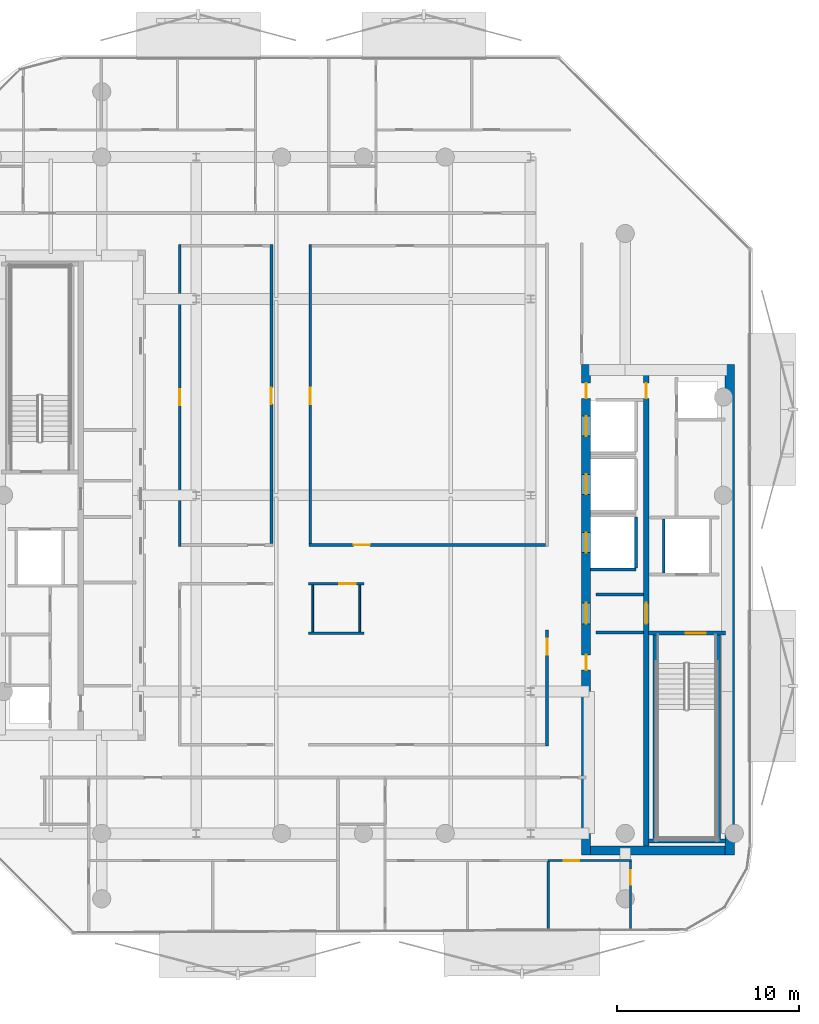
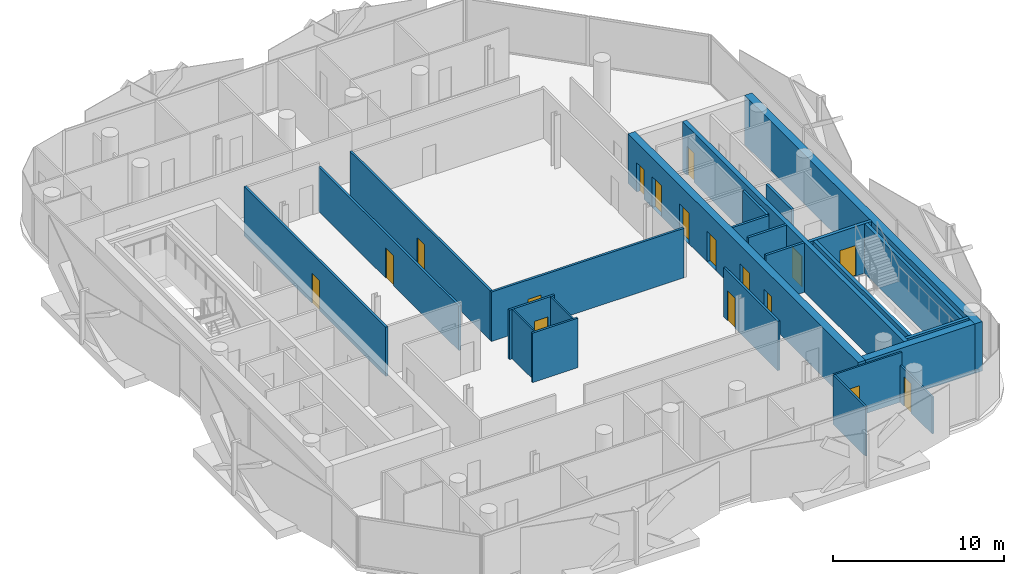
# One storey, part 6 of 16: 25 walls, 17 doors, 17 openings.
"""IFC4 building model written with IfcOpenShell, lengths in metres."""

from ifc_helpers import new_model, si_unit, direction, frame, frame_2d, origin, place, context, subcontext, project, spatial, rectangle, extrude, material, layer, layer_set, type_object, element, fill, save


model = new_model("IFC4")

# Units and contexts
model_context = context("Model", 3, precision=1e-05, world=origin(), true_north=direction((0.0, 1.0)))
body_context = subcontext(model_context, "Body", "Model", "MODEL_VIEW")
ifc_project = project(units=[si_unit("LENGTHUNIT", "METRE"), si_unit("AREAUNIT", "SQUARE_METRE"), si_unit("VOLUMEUNIT", "CUBIC_METRE"), si_unit("PLANEANGLEUNIT", "RADIAN"), si_unit("MASSUNIT", "GRAM", prefix="KILO")], contexts=[model_context])

# Site, building, storey
site_placement = place(None, origin())
site = spatial("IfcSite", under=ifc_project, at=site_placement, CompositionType="ELEMENT")
building_placement = place(site_placement, origin())
building = spatial("IfcBuilding", under=site, at=building_placement, Name="Khairoan Windgate Tower", CompositionType="ELEMENT")
storey_placement = place(building_placement, frame((0.0, 0.0, 281.39990234375)))
storey = spatial("IfcBuildingStorey", under=building, at=storey_placement, Name="L67", CompositionType="ELEMENT", Elevation=281.39990234375)

# Walls
ifc_material_1 = material(Name="Moisture-Resistant Gypsum Partition", Category="gypsum")
ifc_layer_1 = layer(ifc_material_1, 0.10009765625, Name="Moisture-Resistant Gypsum Partition")
ifc_layer_set_1 = layer_set([ifc_layer_1], Name="Moisture-Resistant Gypsum Partition")
wall_type_1 = type_object("IfcWallType", Name="Bathroom Wet-Area Partition Wall", PredefinedType="PARTITIONING", material=ifc_layer_set_1)
for number, where, z_axis, x_axis, name in (
    (1, (-0.199951171875, -4.93994140625, 0.0), (0.0, 0.0, 1.0), (0.0, -1.0, 0.0), "L67 Wet Room Side Wall 078"),
    (2, (-2.7900390625, -7.510009765625, 0.0), (0.0, 0.0, 1.0), (0.0, 1.0, 0.0), "L67 Wet Room Side Wall 079"),
):
    element("IfcWall", number, at=place(storey_placement, frame(where, z_axis=z_axis, x_axis=x_axis)), inside=storey, type_object=wall_type_1, Name=name, PredefinedType="PARTITIONING", context=body_context, shape_type="SweptSolid", body=[
        extrude(rectangle(XDim=2.570068359375, YDim=0.10009765625, at=frame_2d((1.28515625, 0.0))), origin(), (0.0, 0.0, 1.0), 3.5400390625),
    ])
ifc_material_2 = material(Name="Concrete C40/50", Category="concrete")
ifc_layer_2 = layer(ifc_material_2, 0.159912109375, Name="Concrete C40/50")
ifc_layer_set_2 = layer_set([ifc_layer_2], Name="Concrete C40/50")
wall_type_2 = type_object("IfcWallType", Name="Core and Hoistway Enclosure Wall", PredefinedType="STANDARD", material=ifc_layer_set_2)
wall_1_placement = place(storey_placement, frame((12.5, -4.090087890625, 0.0), z_axis=(0.0, 0.0, 1.0), x_axis=(1.0, 0.0, 0.0)))
element("IfcWall", 3, at=wall_1_placement, inside=storey, type_object=wall_type_2, Name="L67 Lift PL9 Hoistway Divider S", PredefinedType="STANDARD", context=body_context, shape_type="SweptSolid", body=[
    extrude(rectangle(XDim=2.489990234375, YDim=0.159912109375, at=frame_2d((1.2451171875, 0.0))), origin(), (0.0, 0.0, 1.0), 3.5400390625),
])
wall_2_placement = place(storey_placement, frame((14.989990234375, -4.0, 0.0), z_axis=(0.0, 0.0, 1.0), x_axis=(0.0, 1.0, 0.0)))
element("IfcWall", 4, at=wall_2_placement, inside=storey, type_object=wall_type_2, Name="L67 Lift PL9 Hoistway Back Wall", PredefinedType="STANDARD", context=body_context, shape_type="SweptSolid", body=[
    extrude(rectangle(XDim=2.800048828125, YDim=0.159912109375, at=frame_2d((1.39990234375, 0.0))), origin(), (0.0, 0.0, 1.0), 3.5400390625),
])
wall_3_placement = place(storey_placement, frame((16.52001953125, -4.280029296875, 0.0), z_axis=(0.0, 0.0, 1.0), x_axis=(0.0, 1.0, 0.0)))
element("IfcWall", 5, at=wall_3_placement, inside=storey, type_object=wall_type_2, Name="L67 Core Shaft Wall SW-FL1W-L67", PredefinedType="STANDARD", context=body_context, shape_type="SweptSolid", body=[
    extrude(rectangle(XDim=2.97998046875, YDim=0.159912109375, at=frame_2d((1.489990234375, 0.0))), origin(), (0.0, 0.0, 1.0), 3.5400390625),
])
for number, where, z_axis, x_axis, name in (
    (6, (12.800048828125, -5.449951171875, 0.0), (0.0, 0.0, 1.0), (1.0, 0.0, 0.0), "L67 Core Shaft Wall SW-EV1-L67"),
    (7, (12.800048828125, -7.5400390625, 0.0), (0.0, 0.0, 1.0), (1.0, 0.0, 0.0), "L67 Core Shaft Wall SW-EV2-L67"),
):
    element("IfcWall", number, at=place(storey_placement, frame(where, z_axis=z_axis, x_axis=x_axis)), inside=storey, type_object=wall_type_2, Name=name, PredefinedType="STANDARD", context=body_context, shape_type="SweptSolid", body=[
        extrude(rectangle(XDim=2.599853515625, YDim=0.159912109375, at=frame_2d((1.2998046875, 0.0))), origin(), (0.0, 0.0, 1.0), 3.5400390625),
    ])
ifc_material_3 = material(Name="Acoustic Fire-Rated Gypsum Partition", Category="gypsum")
ifc_layer_3 = layer(ifc_material_3, 0.139892578125, Name="Acoustic Fire-Rated Gypsum Partition")
ifc_layer_set_3 = layer_set([ifc_layer_3], Name="Acoustic Fire-Rated Gypsum Partition")
wall_type_3 = type_object("IfcWallType", Name="Inter-Tenancy Compartment Wall", PredefinedType="PARTITIONING", material=ifc_layer_set_3)
wall_4_placement = place(storey_placement, frame((-3.030029296875, -7.580078125, 0.0), z_axis=(0.0, 0.0, 1.0), x_axis=(1.0, 0.0, 0.0)))
element("IfcWall", 8, at=wall_4_placement, inside=storey, type_object=wall_type_3, Name="L67 Interior Partition 075", PredefinedType="PARTITIONING", context=body_context, shape_type="SweptSolid", body=[
    extrude(rectangle(XDim=3.070068359375, YDim=0.139892578125, at=frame_2d((1.53515625, 0.0))), origin(), (0.0, 0.0, 1.0), 3.5400390625),
])

# Wall, opening, door
ifc_material_4 = material(Name="Gypsum Stud Partition", Category="gypsum")
ifc_layer_4 = layer(ifc_material_4, 0.1201171875, Name="Gypsum Stud Partition")
ifc_layer_set_4 = layer_set([ifc_layer_4], Name="Gypsum Stud Partition")
wall_type_4 = type_object("IfcWallType", Name="Internal Room Partition Wall", PredefinedType="PARTITIONING", material=ifc_layer_set_4)
wall_5_placement = place(storey_placement, frame((10.1630859375, -20.10009765625, 0.0), z_axis=(0.0, 0.0, 1.0), x_axis=(1.0, 0.0, 0.0)))
wall_5 = element("IfcWall", 9, at=wall_5_placement, inside=storey, type_object=wall_type_4, Name="L67 Interior Partition 071", PredefinedType="PARTITIONING", context=body_context, shape_type="SweptSolid", body=[
    extrude(rectangle(XDim=4.5869140625, YDim=0.1201171875, at=frame_2d((2.29345703125, 0.0))), origin(), (0.0, 0.0, 1.0), 3.5400390625),
])
opening_1_placement = place(wall_5_placement, frame((0.861083984375, 0.0, 0.0)))
opening_1 = element("IfcOpeningElement", 10, at=opening_1_placement, cuts=wall_5, Name="Opening ID-RM", PredefinedType="OPENING", context=body_context, shape_type="SweptSolid", body=[
    extrude(rectangle(XDim=0.860107421875, YDim=2.14990234375, at=frame_2d((0.43017578125, 1.074951171875))), frame((0.0, 0.070068359375, 0.0), z_axis=(0.0, -1.0, 0.0), x_axis=(1.0, 0.0, 0.0)), (0.0, 0.0, 1.0), 0.14013671875),
])
ifc_material_5 = material(Name="Teak Veneer Timber Leaf", Category="wood")
door_type_1 = type_object("IfcDoorType", Name="Internal Bedroom and Office Door ID-RM 860x2150", OperationType="NOTDEFINED", PredefinedType="DOOR", material=ifc_material_5)
door_1_placement = place(opening_1_placement, origin())
door_1 = element("IfcDoor", 11, at=door_1_placement, inside=storey, type_object=door_type_1, Name="L67 L67-51-L67-55 Door", OperationType="SINGLE_SWING_RIGHT", OverallHeight=2.14990234375, OverallWidth=0.860107421875, PredefinedType="DOOR", context=body_context, shape_type="SweptSolid", body=[
    extrude(rectangle(XDim=0.860107421875, YDim=2.14990234375, at=frame_2d((0.43017578125, 1.074951171875))), frame((0.0, 0.02490234375, 0.0), z_axis=(0.0, -1.0, 0.0), x_axis=(1.0, 0.0, 0.0)), (0.0, 0.0, 1.0), 0.050048828125),
])
fill(opening_1, door_1)

wall_6_placement = place(storey_placement, frame((14.68994140625, -23.906494140625, 0.0), z_axis=(0.0, 0.0, 1.0), x_axis=(0.0, 1.0, 0.0)))
wall_6 = element("IfcWall", 12, at=wall_6_placement, inside=storey, type_object=wall_type_4, Name="L67 Interior Partition 072", PredefinedType="PARTITIONING", context=body_context, shape_type="SweptSolid", body=[
    extrude(rectangle(XDim=3.74658203125, YDim=0.1201171875, at=frame_2d((1.873291015625, 0.0))), origin(), (0.0, 0.0, 1.0), 2.64013671875),
])
opening_2_placement = place(wall_6_placement, frame((2.486328125, 0.0, 0.0)))
opening_2 = element("IfcOpeningElement", 13, at=opening_2_placement, cuts=wall_6, Name="Opening ID-BTH", PredefinedType="OPENING", context=body_context, shape_type="SweptSolid", body=[
    extrude(rectangle(XDim=0.800048828125, YDim=2.10009765625, at=frame_2d((0.39990234375, 1.050048828125))), frame((0.0, 0.070068359375, 0.0), z_axis=(0.0, -1.0, 0.0), x_axis=(1.0, 0.0, 0.0)), (0.0, 0.0, 1.0), 0.14013671875),
])
ifc_material_6 = material(Name="Teak Veneer Timber Leaf", Category="wood")
door_type_2 = type_object("IfcDoorType", Name="Internal Bathroom Door ID-BTH 800x2100", OperationType="NOTDEFINED", PredefinedType="DOOR", material=ifc_material_6)
door_2_placement = place(opening_2_placement, origin())
door_2 = element("IfcDoor", 14, at=door_2_placement, inside=storey, type_object=door_type_2, Name="L67 L67-52-L67-55 Door", OperationType="SINGLE_SWING_RIGHT", OverallHeight=2.10009765625, OverallWidth=0.800048828125, PredefinedType="DOOR", context=body_context, shape_type="SweptSolid", body=[
    extrude(rectangle(XDim=0.800048828125, YDim=2.10009765625, at=frame_2d((0.39990234375, 1.050048828125))), frame((0.0, 0.02490234375, 0.0), z_axis=(0.0, -1.0, 0.0), x_axis=(1.0, 0.0, 0.0)), (0.0, 0.0, 1.0), 0.050048828125),
])
fill(opening_2, door_2)

# Wall
wall_7_placement = place(storey_placement, frame((10.1630859375, -23.92822265625, 0.0), z_axis=(0.0, 0.0, 1.0), x_axis=(0.0, 1.0, 0.0)))
element("IfcWall", 15, at=wall_7_placement, inside=storey, type_object=wall_type_4, Name="L67 Interior Partition 074", PredefinedType="PARTITIONING", context=body_context, shape_type="SweptSolid", body=[
    extrude(rectangle(XDim=3.768310546875, YDim=0.1201171875, at=frame_2d((1.88427734375, 0.0))), origin(), (0.0, 0.0, 1.0), 3.5400390625),
])

# Wall, opening, door
ifc_material_7 = material(Name="Acoustic Fire-Rated Gypsum Partition", Category="gypsum")
ifc_layer_5 = layer(ifc_material_7, 0.14990234375, Name="Acoustic Fire-Rated Gypsum Partition")
ifc_layer_set_5 = layer_set([ifc_layer_5], Name="Acoustic Fire-Rated Gypsum Partition")
wall_type_5 = type_object("IfcWallType", Name="Rated Corridor Partition Wall", PredefinedType="PARTITIONING", material=ifc_layer_set_5)
wall_8_placement = place(storey_placement, frame((-10.10009765625, -2.81005859375, 0.0), z_axis=(0.0, 0.0, 1.0), x_axis=(0.0, 1.0, 0.0)))
wall_8 = element("IfcWall", 16, at=wall_8_placement, inside=storey, type_object=wall_type_5, Name="L67 Interior Partition 011", PredefinedType="PARTITIONING", context=body_context, shape_type="SweptSolid", body=[
    extrude(rectangle(XDim=16.60498046875, YDim=0.14990234375, at=frame_2d((8.302490234375, 0.0))), origin(), (0.0, 0.0, 1.0), 3.5400390625),
])
opening_3_placement = place(wall_8_placement, frame((7.751220703125, 0.0, 0.0)))
opening_3 = element("IfcOpeningElement", 17, at=opening_3_placement, cuts=wall_8, Name="Opening FD-ENT", PredefinedType="OPENING", context=body_context, shape_type="SweptSolid", body=[
    extrude(rectangle(XDim=0.89990234375, YDim=2.14990234375, at=frame_2d((0.449951171875, 1.074951171875))), frame((0.0, 0.0849609375, 0.0), z_axis=(0.0, -1.0, 0.0), x_axis=(1.0, 0.0, 0.0)), (0.0, 0.0, 1.0), 0.169921875),
])
ifc_material_8 = material(Name="Timber Fire-Rated Core", Category="wood")
door_type_3 = type_object("IfcDoorType", Name="Unit and Office Fire Entrance Door FD-ENT 900x2150", OperationType="NOTDEFINED", PredefinedType="DOOR", material=ifc_material_8)
door_3_placement = place(opening_3_placement, origin())
door_3 = element("IfcDoor", 18, at=door_3_placement, inside=storey, type_object=door_type_3, Name="L67 L67-26-L67-57 Door", OperationType="SINGLE_SWING_LEFT", OverallHeight=2.14990234375, OverallWidth=0.89990234375, PredefinedType="DOOR", context=body_context, shape_type="SweptSolid", body=[
    extrude(rectangle(XDim=0.89990234375, YDim=2.14990234375, at=frame_2d((0.449951171875, 1.074951171875))), frame((0.0, 0.02490234375, 0.0), z_axis=(0.0, -1.0, 0.0), x_axis=(1.0, 0.0, 0.0)), (0.0, 0.0, 1.0), 0.050048828125),
])
fill(opening_3, door_3)

wall_9_placement = place(storey_placement, frame((10.10009765625, -13.794921875, 0.0), z_axis=(0.0, 0.0, 1.0), x_axis=(0.0, 1.0, 0.0)))
wall_9 = element("IfcWall", 19, at=wall_9_placement, inside=storey, type_object=wall_type_5, Name="L67 Interior Partition 015", PredefinedType="PARTITIONING", context=body_context, shape_type="SweptSolid", body=[
    extrude(rectangle(XDim=6.375, YDim=0.14990234375, at=frame_2d((3.1875, 0.0))), origin(), (0.0, 0.0, 1.0), 3.5400390625),
])
opening_4_placement = place(wall_9_placement, frame((5.014892578125, 0.0, 0.0)))
opening_4 = element("IfcOpeningElement", 20, at=opening_4_placement, cuts=wall_9, Name="Opening FD-ENT", PredefinedType="OPENING", context=body_context, shape_type="SweptSolid", body=[
    extrude(rectangle(XDim=0.89990234375, YDim=2.14990234375, at=frame_2d((0.449951171875, 1.074951171875))), frame((0.0, 0.0849609375, 0.0), z_axis=(0.0, -1.0, 0.0), x_axis=(1.0, 0.0, 0.0)), (0.0, 0.0, 1.0), 0.169921875),
])
door_4_placement = place(opening_4_placement, origin())
door_4 = element("IfcDoor", 21, at=door_4_placement, inside=storey, type_object=door_type_3, Name="L67 L67-27-L67-61 Door", OperationType="SINGLE_SWING_LEFT", OverallHeight=2.14990234375, OverallWidth=0.89990234375, PredefinedType="DOOR", context=body_context, shape_type="SweptSolid", body=[
    extrude(rectangle(XDim=0.89990234375, YDim=2.14990234375, at=frame_2d((0.449951171875, 1.074951171875))), frame((0.0, 0.02490234375, 0.0), z_axis=(0.0, -1.0, 0.0), x_axis=(1.0, 0.0, 0.0)), (0.0, 0.0, 1.0), 0.050048828125),
])
fill(opening_4, door_4)

wall_10_placement = place(storey_placement, frame((-3.010009765625, -2.735107421875, 0.0), z_axis=(0.0, 0.0, 1.0), x_axis=(1.0, 0.0, 0.0)))
wall_10 = element("IfcWall", 22, at=wall_10_placement, inside=storey, type_object=wall_type_5, Name="L67 Interior Partition 018", PredefinedType="PARTITIONING", context=body_context, shape_type="SweptSolid", body=[
    extrude(rectangle(XDim=13.034912109375, YDim=0.14990234375, at=frame_2d((6.517578125, 0.0))), origin(), (0.0, 0.0, 1.0), 3.5400390625),
])
opening_5_placement = place(wall_10_placement, frame((2.462646484375, 0.0, 0.0)))
opening_5 = element("IfcOpeningElement", 23, at=opening_5_placement, cuts=wall_10, Name="Opening FD-ENT", PredefinedType="OPENING", context=body_context, shape_type="SweptSolid", body=[
    extrude(rectangle(XDim=0.89990234375, YDim=2.14990234375, at=frame_2d((0.449951171875, 1.074951171875))), frame((0.0, 0.0849609375, 0.0), z_axis=(0.0, -1.0, 0.0), x_axis=(1.0, 0.0, 0.0)), (0.0, 0.0, 1.0), 0.169921875),
])
door_5_placement = place(opening_5_placement, origin())
door_5 = element("IfcDoor", 24, at=door_5_placement, inside=storey, type_object=door_type_3, Name="L67 L67-28-L67-59 Door", OperationType="SINGLE_SWING_RIGHT", OverallHeight=2.14990234375, OverallWidth=0.89990234375, PredefinedType="DOOR", context=body_context, shape_type="SweptSolid", body=[
    extrude(rectangle(XDim=0.89990234375, YDim=2.14990234375, at=frame_2d((0.449951171875, 1.074951171875))), frame((0.0, 0.02490234375, 0.0), z_axis=(0.0, -1.0, 0.0), x_axis=(1.0, 0.0, 0.0)), (0.0, 0.0, 1.0), 0.050048828125),
])
fill(opening_5, door_5)

wall_11_placement = place(storey_placement, frame((-3.030029296875, -4.864990234375, 0.0), z_axis=(0.0, 0.0, 1.0), x_axis=(1.0, 0.0, 0.0)))
wall_11 = element("IfcWall", 25, at=wall_11_placement, inside=storey, type_object=wall_type_5, Name="L67 Interior Partition 019", PredefinedType="PARTITIONING", context=body_context, shape_type="SweptSolid", body=[
    extrude(rectangle(XDim=3.070068359375, YDim=0.14990234375, at=frame_2d((1.53515625, 0.0))), origin(), (0.0, 0.0, 1.0), 3.5400390625),
])
opening_6_placement = place(wall_11_placement, frame((1.7099609375, 0.0, 0.0)))
opening_6 = element("IfcOpeningElement", 26, at=opening_6_placement, cuts=wall_11, Name="Opening FD-ENT", PredefinedType="OPENING", context=body_context, shape_type="SweptSolid", body=[
    extrude(rectangle(XDim=0.89990234375, YDim=2.14990234375, at=frame_2d((0.449951171875, 1.074951171875))), frame((0.0, 0.0849609375, 0.0), z_axis=(0.0, -1.0, 0.0), x_axis=(1.0, 0.0, 0.0)), (0.0, 0.0, 1.0), 0.169921875),
])
door_6_placement = place(opening_6_placement, origin())
door_6 = element("IfcDoor", 27, at=door_6_placement, inside=storey, type_object=door_type_3, Name="L67 L67-28-L67-60 Door", OperationType="SINGLE_SWING_LEFT", OverallHeight=2.14990234375, OverallWidth=0.89990234375, PredefinedType="DOOR", context=body_context, shape_type="SweptSolid", body=[
    extrude(rectangle(XDim=0.89990234375, YDim=2.14990234375, at=frame_2d((0.449951171875, 1.074951171875))), frame((0.0, 0.02490234375, 0.0), z_axis=(0.0, -1.0, 0.0), x_axis=(1.0, 0.0, 0.0)), (0.0, 0.0, 1.0), 0.050048828125),
])
fill(opening_6, door_6)

wall_12_placement = place(storey_placement, frame((-5.06494140625, -2.659912109375, 0.0), z_axis=(0.0, 0.0, 1.0), x_axis=(0.0, 1.0, 0.0)))
wall_12 = element("IfcWall", 28, at=wall_12_placement, inside=storey, type_object=wall_type_5, Name="L67 Interior Partition 020", PredefinedType="PARTITIONING", context=body_context, shape_type="SweptSolid", body=[
    extrude(rectangle(XDim=16.454833984375, YDim=0.14990234375, at=frame_2d((8.2275390625, 0.0))), origin(), (0.0, 0.0, 1.0), 3.190185546875),
])
opening_7_placement = place(wall_12_placement, frame((7.67724609375, 0.0, 0.0)))
opening_7 = element("IfcOpeningElement", 29, at=opening_7_placement, cuts=wall_12, Name="Opening FD-ENT", PredefinedType="OPENING", context=body_context, shape_type="SweptSolid", body=[
    extrude(rectangle(XDim=0.89990234375, YDim=2.14990234375, at=frame_2d((0.449951171875, 1.074951171875))), frame((0.0, 0.0849609375, 0.0), z_axis=(0.0, -1.0, 0.0), x_axis=(1.0, 0.0, 0.0)), (0.0, 0.0, 1.0), 0.169921875),
])
door_7_placement = place(opening_7_placement, origin())
door_7 = element("IfcDoor", 30, at=door_7_placement, inside=storey, type_object=door_type_3, Name="L67 L67-29-L67-57 Door", OperationType="SINGLE_SWING_RIGHT", OverallHeight=2.14990234375, OverallWidth=0.89990234375, PredefinedType="DOOR", context=body_context, shape_type="SweptSolid", body=[
    extrude(rectangle(XDim=0.89990234375, YDim=2.14990234375, at=frame_2d((0.449951171875, 1.074951171875))), frame((0.0, 0.02490234375, 0.0), z_axis=(0.0, -1.0, 0.0), x_axis=(1.0, 0.0, 0.0)), (0.0, 0.0, 1.0), 0.050048828125),
])
fill(opening_7, door_7)

wall_13_placement = place(storey_placement, frame((-2.93505859375, -2.659912109375, 0.0), z_axis=(0.0, 0.0, 1.0), x_axis=(0.0, 1.0, 0.0)))
wall_13 = element("IfcWall", 31, at=wall_13_placement, inside=storey, type_object=wall_type_5, Name="L67 Interior Partition 021", PredefinedType="PARTITIONING", context=body_context, shape_type="SweptSolid", body=[
    extrude(rectangle(XDim=16.454833984375, YDim=0.14990234375, at=frame_2d((8.2275390625, 0.0))), origin(), (0.0, 0.0, 1.0), 3.5400390625),
])
opening_8_placement = place(wall_13_placement, frame((7.67724609375, 0.0, 0.0)))
opening_8 = element("IfcOpeningElement", 32, at=opening_8_placement, cuts=wall_13, Name="Opening FD-ENT", PredefinedType="OPENING", context=body_context, shape_type="SweptSolid", body=[
    extrude(rectangle(XDim=0.89990234375, YDim=2.14990234375, at=frame_2d((0.449951171875, 1.074951171875))), frame((0.0, 0.0849609375, 0.0), z_axis=(0.0, -1.0, 0.0), x_axis=(1.0, 0.0, 0.0)), (0.0, 0.0, 1.0), 0.169921875),
])
door_8_placement = place(opening_8_placement, origin())
door_8 = element("IfcDoor", 33, at=door_8_placement, inside=storey, type_object=door_type_3, Name="L67 L67-29-L67-59 Door", OperationType="SINGLE_SWING_LEFT", OverallHeight=2.14990234375, OverallWidth=0.89990234375, PredefinedType="DOOR", context=body_context, shape_type="SweptSolid", body=[
    extrude(rectangle(XDim=0.89990234375, YDim=2.14990234375, at=frame_2d((0.449951171875, 1.074951171875))), frame((0.0, 0.02490234375, 0.0), z_axis=(0.0, -1.0, 0.0), x_axis=(1.0, 0.0, 0.0)), (0.0, 0.0, 1.0), 0.050048828125),
])
fill(opening_8, door_8)

# Wall, openings, doors
ifc_material_9 = material(Name="Concrete C50/60", Category="concrete")
ifc_layer_6 = layer(ifc_material_9, 0.5, Name="Concrete C50/60")
ifc_layer_set_6 = layer_set([ifc_layer_6], Name="Concrete C50/60")
wall_type_6 = type_object("IfcWallType", Name="Shear Wall CW-E3 500mm", PredefinedType="SHEAR", material=ifc_layer_set_6)
wall_14_placement = place(storey_placement, frame((12.25, -19.800048828125, 0.0), z_axis=(0.0, 0.0, 1.0), x_axis=(0.0, 1.0, 0.0)))
wall_14 = element("IfcWall", 34, at=wall_14_placement, inside=storey, type_object=wall_type_6, Name="E Core West Shear Wall L67", PredefinedType="SHEAR", context=body_context, shape_type="SweptSolid", body=[
    extrude(rectangle(XDim=27.0, YDim=0.5, at=frame_2d((13.5, 0.0))), origin(), (0.0, 0.0, 1.0), 3.5400390625),
])
opening_9_placement = place(wall_14_placement, frame((23.050048828125, 0.0, 0.0)))
opening_9 = element("IfcOpeningElement", 35, at=opening_9_placement, cuts=wall_14, Name="Opening LD-PL", PredefinedType="OPENING", context=body_context, shape_type="SweptSolid", body=[
    extrude(rectangle(XDim=1.10009765625, YDim=2.199951171875, at=frame_2d((0.550048828125, 1.10009765625))), frame((0.0, 0.260009765625, 0.0), z_axis=(0.0, -1.0, 0.0), x_axis=(1.0, 0.0, 0.0)), (0.0, 0.0, 1.0), 0.52001953125),
])
opening_10_placement = place(wall_14_placement, frame((19.85009765625, 0.0, 0.0)))
opening_10 = element("IfcOpeningElement", 36, at=opening_10_placement, cuts=wall_14, Name="Opening LD-PL", PredefinedType="OPENING", context=body_context, shape_type="SweptSolid", body=[
    extrude(rectangle(XDim=1.10009765625, YDim=2.199951171875, at=frame_2d((0.550048828125, 1.10009765625))), frame((0.0, 0.260009765625, 0.0), z_axis=(0.0, -1.0, 0.0), x_axis=(1.0, 0.0, 0.0)), (0.0, 0.0, 1.0), 0.52001953125),
])
opening_11_placement = place(wall_14_placement, frame((16.64990234375, 0.0, 0.0)))
opening_11 = element("IfcOpeningElement", 37, at=opening_11_placement, cuts=wall_14, Name="Opening LD-PL", PredefinedType="OPENING", context=body_context, shape_type="SweptSolid", body=[
    extrude(rectangle(XDim=1.10009765625, YDim=2.199951171875, at=frame_2d((0.550048828125, 1.10009765625))), frame((0.0, 0.260009765625, 0.0), z_axis=(0.0, -1.0, 0.0), x_axis=(1.0, 0.0, 0.0)), (0.0, 0.0, 1.0), 0.52001953125),
])
opening_12_placement = place(wall_14_placement, frame((10.175048828125, 0.0, 0.0)))
opening_12 = element("IfcOpeningElement", 38, at=opening_12_placement, cuts=wall_14, Name="Opening FD-SRV", PredefinedType="OPENING", context=body_context, shape_type="SweptSolid", body=[
    extrude(rectangle(XDim=0.85009765625, YDim=2.10009765625, at=frame_2d((0.425048828125, 1.050048828125))), frame((0.0, 0.260009765625, 0.0), z_axis=(0.0, -1.0, 0.0), x_axis=(1.0, 0.0, 0.0)), (0.0, 0.0, 1.0), 0.52001953125),
])
opening_13_placement = place(wall_14_placement, frame((12.72509765625, 0.0, 0.0)))
opening_13 = element("IfcOpeningElement", 39, at=opening_13_placement, cuts=wall_14, Name="Opening FD-FFL", PredefinedType="OPENING", context=body_context, shape_type="SweptSolid", body=[
    extrude(rectangle(XDim=1.14990234375, YDim=2.199951171875, at=frame_2d((0.574951171875, 1.10009765625))), frame((0.0, 0.260009765625, 0.0), z_axis=(0.0, -1.0, 0.0), x_axis=(1.0, 0.0, 0.0)), (0.0, 0.0, 1.0), 0.52001953125),
])
opening_14_placement = place(wall_14_placement, frame((25.125, 0.0, 0.0)))
opening_14 = element("IfcOpeningElement", 40, at=opening_14_placement, cuts=wall_14, Name="Opening FD-SRV", PredefinedType="OPENING", context=body_context, shape_type="SweptSolid", body=[
    extrude(rectangle(XDim=0.85009765625, YDim=2.10009765625, at=frame_2d((0.425048828125, 1.050048828125))), frame((0.0, 0.260009765625, 0.0), z_axis=(0.0, -1.0, 0.0), x_axis=(1.0, 0.0, 0.0)), (0.0, 0.0, 1.0), 0.52001953125),
])
ifc_material_10 = material(Name="Steel S355", Category="steel")
door_type_4 = type_object("IfcDoorType", Name="Core Service and Riser Fire Door FD-SRV 850x2100", OperationType="NOTDEFINED", PredefinedType="DOOR", material=ifc_material_10)
door_9_placement = place(opening_12_placement, origin())
door_9 = element("IfcDoor", 41, at=door_9_placement, inside=storey, type_object=door_type_4, Name="L67 East Core Service Room Door 1", OperationType="SINGLE_SWING_LEFT", OverallHeight=2.10009765625, OverallWidth=0.85009765625, PredefinedType="DOOR", context=body_context, shape_type="SweptSolid", body=[
    extrude(rectangle(XDim=0.85009765625, YDim=2.10009765625, at=frame_2d((0.425048828125, 1.050048828125))), frame((0.0, 0.02490234375, 0.0), z_axis=(0.0, -1.0, 0.0), x_axis=(1.0, 0.0, 0.0)), (0.0, 0.0, 1.0), 0.050048828125),
])
fill(opening_12, door_9)
door_10_placement = place(opening_14_placement, origin())
door_10 = element("IfcDoor", 42, at=door_10_placement, inside=storey, type_object=door_type_4, Name="L67 East Core Service Vestibule Outer Door", OperationType="SINGLE_SWING_RIGHT", OverallHeight=2.10009765625, OverallWidth=0.85009765625, PredefinedType="DOOR", context=body_context, shape_type="SweptSolid", body=[
    extrude(rectangle(XDim=0.85009765625, YDim=2.10009765625, at=frame_2d((0.425048828125, 1.050048828125))), frame((0.0, 0.02490234375, 0.0), z_axis=(0.0, -1.0, 0.0), x_axis=(1.0, 0.0, 0.0)), (0.0, 0.0, 1.0), 0.050048828125),
])
fill(opening_14, door_10)
ifc_material_11 = material(Name="Steel S355", Category="steel")
door_type_5 = type_object("IfcDoorType", Name="Firefighting Lobby Fire Door FD-FFL 1150x2200", OperationType="NOTDEFINED", PredefinedType="DOOR", material=ifc_material_11)
door_11_placement = place(opening_13_placement, origin())
door_11 = element("IfcDoor", 43, at=door_11_placement, inside=storey, type_object=door_type_5, Name="L67 East Core Vestibule Entry Door", OperationType="SINGLE_SWING_RIGHT", OverallHeight=2.199951171875, OverallWidth=1.14990234375, PredefinedType="DOOR", context=body_context, shape_type="SweptSolid", body=[
    extrude(rectangle(XDim=1.14990234375, YDim=2.199951171875, at=frame_2d((0.574951171875, 1.10009765625))), frame((0.0, 0.02490234375, 0.0), z_axis=(0.0, -1.0, 0.0), x_axis=(1.0, 0.0, 0.0)), (0.0, 0.0, 1.0), 0.050048828125),
])
fill(opening_13, door_11)
ifc_material_12 = material(Name="Anodised Bronze Aluminium 6063-T6", Category="aluminium")
door_type_6 = type_object("IfcDoorType", Name="Passenger Lift Sliding Landing Door LD-PL 1100x2200", OperationType="DOUBLE_DOOR_SLIDING", PredefinedType="DOOR", material=ifc_material_12)
door_12_placement = place(opening_9_placement, origin())
door_12 = element("IfcDoor", 44, at=door_12_placement, inside=storey, type_object=door_type_6, Name="L67 Lift PL7 Sliding Landing Door", OperationType="DOUBLE_DOOR_SLIDING", OverallHeight=2.199951171875, OverallWidth=1.10009765625, PredefinedType="DOOR", context=body_context, shape_type="SweptSolid", body=[
    extrude(rectangle(XDim=1.10009765625, YDim=2.199951171875, at=frame_2d((0.550048828125, 1.10009765625))), frame((0.0, 0.02490234375, 0.0), z_axis=(0.0, -1.0, 0.0), x_axis=(1.0, 0.0, 0.0)), (0.0, 0.0, 1.0), 0.050048828125),
])
fill(opening_9, door_12)
door_13_placement = place(opening_10_placement, origin())
door_13 = element("IfcDoor", 45, at=door_13_placement, inside=storey, type_object=door_type_6, Name="L67 Lift PL8 Sliding Landing Door", OperationType="DOUBLE_DOOR_SLIDING", OverallHeight=2.199951171875, OverallWidth=1.10009765625, PredefinedType="DOOR", context=body_context, shape_type="SweptSolid", body=[
    extrude(rectangle(XDim=1.10009765625, YDim=2.199951171875, at=frame_2d((0.550048828125, 1.10009765625))), frame((0.0, 0.02490234375, 0.0), z_axis=(0.0, -1.0, 0.0), x_axis=(1.0, 0.0, 0.0)), (0.0, 0.0, 1.0), 0.050048828125),
])
fill(opening_10, door_13)
door_14_placement = place(opening_11_placement, origin())
door_14 = element("IfcDoor", 46, at=door_14_placement, inside=storey, type_object=door_type_6, Name="L67 Lift PL9 Sliding Landing Door", OperationType="DOUBLE_DOOR_SLIDING", OverallHeight=2.199951171875, OverallWidth=1.10009765625, PredefinedType="DOOR", context=body_context, shape_type="SweptSolid", body=[
    extrude(rectangle(XDim=1.10009765625, YDim=2.199951171875, at=frame_2d((0.550048828125, 1.10009765625))), frame((0.0, 0.02490234375, 0.0), z_axis=(0.0, -1.0, 0.0), x_axis=(1.0, 0.0, 0.0)), (0.0, 0.0, 1.0), 0.050048828125),
])
fill(opening_11, door_14)

# Walls
wall_15_placement = place(storey_placement, frame((20.14990234375, -19.800048828125, 0.0), z_axis=(0.0, 0.0, 1.0), x_axis=(0.0, 1.0, 0.0)))
element("IfcWall", 47, at=wall_15_placement, inside=storey, type_object=wall_type_6, Name="E Core East Shear Wall L67", PredefinedType="SHEAR", context=body_context, shape_type="SweptSolid", body=[
    extrude(rectangle(XDim=27.0, YDim=0.5, at=frame_2d((13.5, 0.0))), origin(), (0.0, 0.0, 1.0), 3.5400390625),
])
wall_16_placement = place(storey_placement, frame((12.5, -19.550048828125, 0.0), z_axis=(0.0, 0.0, 1.0), x_axis=(1.0, 0.0, 0.0)))
element("IfcWall", 48, at=wall_16_placement, inside=storey, type_object=wall_type_6, Name="E Core South Shear Wall L67", PredefinedType="SHEAR", context=body_context, shape_type="SweptSolid", body=[
    extrude(rectangle(XDim=7.39990234375, YDim=0.5, at=frame_2d((3.699951171875, 0.0))), origin(), (0.0, 0.0, 1.0), 3.5400390625),
])

# Wall, openings, doors
ifc_material_13 = material(Name="Concrete C50/60", Category="concrete")
ifc_layer_7 = layer(ifc_material_13, 0.300048828125, Name="Concrete C50/60")
ifc_layer_set_7 = layer_set([ifc_layer_7], Name="Concrete C50/60")
wall_type_7 = type_object("IfcWallType", Name="Shear Wall SW-2 300mm", PredefinedType="SHEAR", material=ifc_layer_set_7)
wall_17_placement = place(storey_placement, frame((15.550048828125, -19.300048828125, 0.0), z_axis=(0.0, 0.0, 1.0), x_axis=(0.0, 1.0, 0.0)))
wall_17 = element("IfcWall", 49, at=wall_17_placement, inside=storey, type_object=wall_type_7, Name="E Core Spine Shear Wall L67", PredefinedType="SHEAR", context=body_context, shape_type="SweptSolid", body=[
    extrude(rectangle(XDim=26.0, YDim=0.300048828125, at=frame_2d((13.0, 0.0))), origin(), (0.0, 0.0, 1.0), 3.5400390625),
])
opening_15_placement = place(wall_17_placement, frame((12.22509765625, 0.0, 0.0)))
opening_15 = element("IfcOpeningElement", 50, at=opening_15_placement, cuts=wall_17, Name="Opening FD-FFL", PredefinedType="OPENING", context=body_context, shape_type="SweptSolid", body=[
    extrude(rectangle(XDim=1.14990234375, YDim=2.199951171875, at=frame_2d((0.574951171875, 1.10009765625))), frame((0.0, 0.159912109375, 0.0), z_axis=(0.0, -1.0, 0.0), x_axis=(1.0, 0.0, 0.0)), (0.0, 0.0, 1.0), 0.320068359375),
])
opening_16_placement = place(wall_17_placement, frame((24.625, 0.0, 0.0)))
opening_16 = element("IfcOpeningElement", 51, at=opening_16_placement, cuts=wall_17, Name="Opening FD-SRV", PredefinedType="OPENING", context=body_context, shape_type="SweptSolid", body=[
    extrude(rectangle(XDim=0.85009765625, YDim=2.10009765625, at=frame_2d((0.425048828125, 1.050048828125))), frame((0.0, 0.159912109375, 0.0), z_axis=(0.0, -1.0, 0.0), x_axis=(1.0, 0.0, 0.0)), (0.0, 0.0, 1.0), 0.320068359375),
])
door_15_placement = place(opening_16_placement, origin())
door_15 = element("IfcDoor", 52, at=door_15_placement, inside=storey, type_object=door_type_4, Name="L67 East Core Service Passage Inner Door", OperationType="SINGLE_SWING_LEFT", OverallHeight=2.10009765625, OverallWidth=0.85009765625, PredefinedType="DOOR", context=body_context, shape_type="SweptSolid", body=[
    extrude(rectangle(XDim=0.85009765625, YDim=2.10009765625, at=frame_2d((0.425048828125, 1.050048828125))), frame((0.0, 0.02490234375, 0.0), z_axis=(0.0, -1.0, 0.0), x_axis=(1.0, 0.0, 0.0)), (0.0, 0.0, 1.0), 0.050048828125),
])
fill(opening_16, door_15)
door_16_placement = place(opening_15_placement, origin())
door_16 = element("IfcDoor", 53, at=door_16_placement, inside=storey, type_object=door_type_5, Name="L67 East Firefighting Lobby Fire Door", OperationType="SINGLE_SWING_LEFT", OverallHeight=2.199951171875, OverallWidth=1.14990234375, PredefinedType="DOOR", context=body_context, shape_type="SweptSolid", body=[
    extrude(rectangle(XDim=1.14990234375, YDim=2.199951171875, at=frame_2d((0.574951171875, 1.10009765625))), frame((0.0, 0.02490234375, 0.0), z_axis=(0.0, -1.0, 0.0), x_axis=(1.0, 0.0, 0.0)), (0.0, 0.0, 1.0), 0.050048828125),
])
fill(opening_15, door_16)

# Walls
ifc_material_14 = material(Name="Concrete C50/60", Category="concrete")
ifc_layer_8 = layer(ifc_material_14, 0.219970703125, Name="Concrete C50/60")
ifc_layer_set_8 = layer_set([ifc_layer_8], Name="Concrete C50/60")
wall_type_8 = type_object("IfcWallType", Name="Shear Wall SW-ST 220mm", PredefinedType="SHEAR", material=ifc_layer_set_8)
for number, where, z_axis, x_axis, name in (
    (54, (16.0400390625, -19.010009765625, 0.0), (0.0, 0.0, 1.0), (0.0, 1.0, 0.0), "L67 Stair ST1 West Bearing Wall"),
    (55, (19.530029296875, -19.010009765625, 0.0), (0.0, 0.0, 1.0), (0.0, 1.0, 0.0), "L67 Stair ST1 East Bearing Wall"),
):
    element("IfcWall", number, at=place(storey_placement, frame(where, z_axis=z_axis, x_axis=x_axis)), inside=storey, type_object=wall_type_8, Name=name, PredefinedType="SHEAR", context=body_context, shape_type="SweptSolid", body=[
        extrude(rectangle(XDim=11.419921875, YDim=0.219970703125, at=frame_2d((5.7099609375, 0.0))), origin(), (0.0, 0.0, 1.0), 3.5400390625),
    ])
wall_18_placement = place(storey_placement, frame((15.679931640625, -19.010009765625, 0.0), z_axis=(0.0, 0.0, 1.0), x_axis=(1.0, 0.0, 0.0)))
element("IfcWall", 56, at=wall_18_placement, inside=storey, type_object=wall_type_8, Name="L67 Stair ST1 South Bearing Wall", PredefinedType="SHEAR", context=body_context, shape_type="SweptSolid", body=[
    extrude(rectangle(XDim=4.239990234375, YDim=0.219970703125, at=frame_2d((2.1201171875, 0.0))), origin(), (0.0, 0.0, 1.0), 3.5400390625),
])

# Wall, opening, door
wall_19_placement = place(storey_placement, frame((19.919921875, -7.590087890625, 0.0), z_axis=(0.0, 0.0, 1.0), x_axis=(-1.0, 0.0, 0.0)))
wall_19 = element("IfcWall", 57, at=wall_19_placement, inside=storey, type_object=wall_type_8, Name="L67 Stair ST1 North Bearing Wall", PredefinedType="SHEAR", context=body_context, shape_type="SweptSolid", body=[
    extrude(rectangle(XDim=4.239990234375, YDim=0.219970703125, at=frame_2d((2.1201171875, 0.0))), origin(), (0.0, 0.0, 1.0), 3.5400390625),
])
opening_17_placement = place(wall_19_placement, frame((1.080078125, 0.0, 0.0)))
opening_17 = element("IfcOpeningElement", 58, at=opening_17_placement, cuts=wall_19, Name="Opening FD-ST", PredefinedType="OPENING", context=body_context, shape_type="SweptSolid", body=[
    extrude(rectangle(XDim=1.10009765625, YDim=2.199951171875, at=frame_2d((0.550048828125, 1.10009765625))), frame((0.0, 0.119873046875, 0.0), z_axis=(0.0, -1.0, 0.0), x_axis=(1.0, 0.0, 0.0)), (0.0, 0.0, 1.0), 0.239990234375),
])
ifc_material_15 = material(Name="Steel S355", Category="steel")
door_type_7 = type_object("IfcDoorType", Name="Smokeproof Stair Fire Door FD-ST 1100x2200", OperationType="NOTDEFINED", PredefinedType="DOOR", material=ifc_material_15)
door_17_placement = place(opening_17_placement, origin())
door_17 = element("IfcDoor", 59, at=door_17_placement, inside=storey, type_object=door_type_7, Name="L67 Stair ST1 Fire Door", OperationType="SINGLE_SWING_LEFT", OverallHeight=2.199951171875, OverallWidth=1.10009765625, PredefinedType="DOOR", context=body_context, shape_type="SweptSolid", body=[
    extrude(rectangle(XDim=1.10009765625, YDim=2.199951171875, at=frame_2d((0.550048828125, 1.10009765625))), frame((0.0, 0.02490234375, 0.0), z_axis=(0.0, -1.0, 0.0), x_axis=(1.0, 0.0, 0.0)), (0.0, 0.0, 1.0), 0.050048828125),
])
fill(opening_17, door_17)

save(model, "model.ifc")
